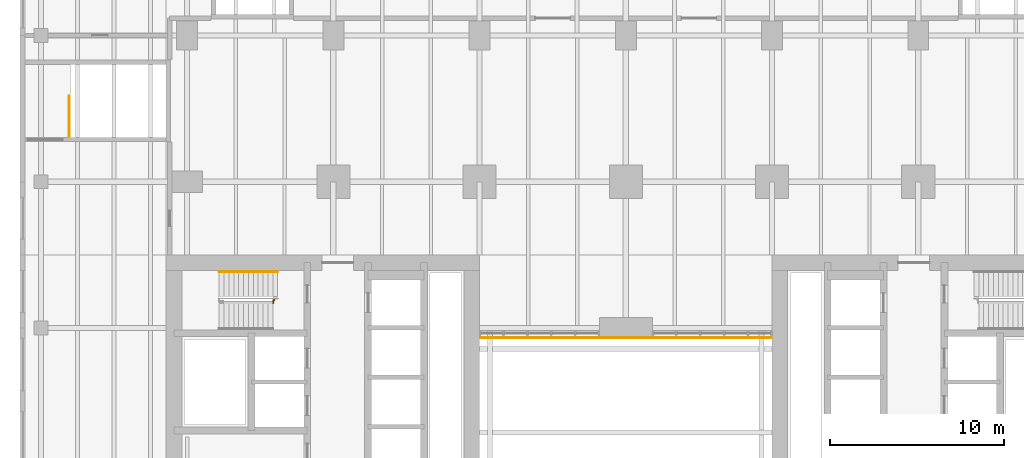
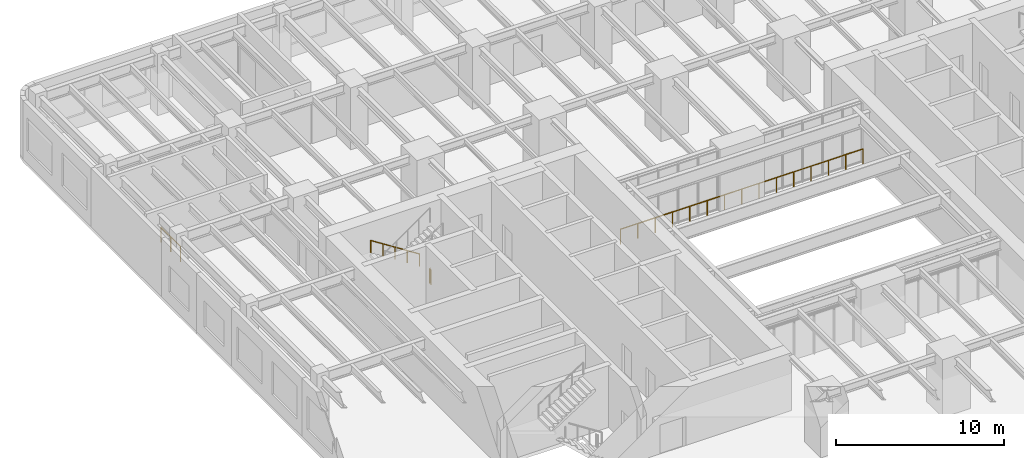
# One storey, part 20 of 22: 4 railings.
"""IFC4 building model written with IfcOpenShell, lengths in metres."""

from ifc_helpers import new_model, si_unit, direction, frame, origin, origin_2d, place, context, subcontext, project, spatial, circle, extrude, material, type_object, element, save


model = new_model("IFC4")

# Units and contexts
model_context = context("Model", 3, precision=1e-05, world=origin(), true_north=direction((0.0, 1.0)))
body_context = subcontext(model_context, "Body", "Model", "MODEL_VIEW")
ifc_project = project(units=[si_unit("LENGTHUNIT", "METRE"), si_unit("AREAUNIT", "SQUARE_METRE"), si_unit("VOLUMEUNIT", "CUBIC_METRE"), si_unit("PLANEANGLEUNIT", "RADIAN"), si_unit("MASSUNIT", "GRAM", prefix="KILO")], contexts=[model_context])

# Site, building, storey
site_placement = place(None, origin())
site = spatial("IfcSite", under=ifc_project, at=site_placement, CompositionType="ELEMENT")
building_placement = place(site_placement, origin())
building = spatial("IfcBuilding", under=site, at=building_placement, Name="Claustro Exchange Tower", CompositionType="ELEMENT")
storey_placement = place(building_placement, frame((0.0, 0.0, 14.39990234375)))
storey = spatial("IfcBuildingStorey", under=building, at=storey_placement, Name="L03", CompositionType="ELEMENT", Elevation=14.39990234375)

# Railings
ifc_material_1 = material(Name="Laminated glass, stainless steel rail", Category="steel")
railing_type_1 = type_object("IfcRailingType", Name="GR1 1100 glass balustrade guard", PredefinedType="BALUSTRADE", material=ifc_material_1)
railing_1_placement = place(storey_placement, frame((16.85009765625, 33.050048828125, 0.0)))
element("IfcRailing", 1, at=railing_1_placement, inside=storey, type_object=railing_type_1, Name="Atrium guard GR1 L03", PredefinedType="BALUSTRADE", context=body_context, shape_type="SweptSolid", body=[
    extrude(circle(Radius=0.02392578125, at=origin_2d()), frame((0.0, 0.0, 1.076171875), z_axis=(1.0, 0.0, 0.0), x_axis=(0.0, 1.0, 0.0)), (0.0, 0.0, 1.0), 16.699951171875),
    extrude(circle(Radius=0.02099609375, at=origin_2d()), origin(), (0.0, 0.0, 1.0), 1.052001953125),
    extrude(circle(Radius=0.02099609375, at=origin_2d()), frame((1.19287109375, 0.0, 0.0)), (0.0, 0.0, 1.0), 1.052001953125),
    extrude(circle(Radius=0.02099609375, at=origin_2d()), frame((2.3857421875, 0.0, 0.0)), (0.0, 0.0, 1.0), 1.052001953125),
    extrude(circle(Radius=0.02099609375, at=origin_2d()), frame((3.57861328125, 0.0, 0.0)), (0.0, 0.0, 1.0), 1.052001953125),
    extrude(circle(Radius=0.02099609375, at=origin_2d()), frame((4.771484375, 0.0, 0.0)), (0.0, 0.0, 1.0), 1.052001953125),
    extrude(circle(Radius=0.02099609375, at=origin_2d()), frame((5.96435546875, 0.0, 0.0)), (0.0, 0.0, 1.0), 1.052001953125),
    extrude(circle(Radius=0.02099609375, at=origin_2d()), frame((7.1572265625, 0.0, 0.0)), (0.0, 0.0, 1.0), 1.052001953125),
    extrude(circle(Radius=0.02099609375, at=origin_2d()), frame((8.35009765625, 0.0, 0.0)), (0.0, 0.0, 1.0), 1.052001953125),
    extrude(circle(Radius=0.02099609375, at=origin_2d()), frame((9.542724609375, 0.0, 0.0)), (0.0, 0.0, 1.0), 1.052001953125),
    extrude(circle(Radius=0.02099609375, at=origin_2d()), frame((10.735595703125, 0.0, 0.0)), (0.0, 0.0, 1.0), 1.052001953125),
    extrude(circle(Radius=0.02099609375, at=origin_2d()), frame((11.928466796875, 0.0, 0.0)), (0.0, 0.0, 1.0), 1.052001953125),
    extrude(circle(Radius=0.02099609375, at=origin_2d()), frame((13.121337890625, 0.0, 0.0)), (0.0, 0.0, 1.0), 1.052001953125),
    extrude(circle(Radius=0.02099609375, at=origin_2d()), frame((14.314208984375, 0.0, 0.0)), (0.0, 0.0, 1.0), 1.052001953125),
    extrude(circle(Radius=0.02099609375, at=origin_2d()), frame((15.507080078125, 0.0, 0.0)), (0.0, 0.0, 1.0), 1.052001953125),
    extrude(circle(Radius=0.02099609375, at=origin_2d()), frame((16.699951171875, 0.0, 0.0)), (0.0, 0.0, 1.0), 1.052001953125),
])
ifc_material_2 = material(Name="Steel balustrade, painted", Category="steel")
railing_type_2 = type_object("IfcRailingType", Name="GR2 1100 steel stair guard", PredefinedType="GUARDRAIL", material=ifc_material_2)
railing_2_placement = place(storey_placement, frame((5.0, 35.22998046875, 0.0)))
element("IfcRailing", 2, at=railing_2_placement, inside=storey, type_object=railing_type_2, Name="Stair guard GR2 STWB L03", PredefinedType="GUARDRAIL", context=body_context, shape_type="SweptSolid", body=[
    extrude(circle(Radius=0.02392578125, at=origin_2d()), frame((0.0, 0.0, 1.076171875), z_axis=(0.0, -1.0, 0.0), x_axis=(1.0, 0.0, 0.0)), (0.0, 0.0, 1.0), 0.030029296875),
    extrude(circle(Radius=0.02392578125, at=origin_2d()), frame((0.0, -0.030029296875, 1.076171875), z_axis=(-1.0, 0.0, 0.0), x_axis=(0.0, -1.0, 0.0)), (0.0, 0.0, 1.0), 0.054931640625),
    extrude(circle(Radius=0.02392578125, at=origin_2d()), frame((-0.054931640625, -0.030029296875, 1.076171875), z_axis=(0.0, -1.0, 0.0), x_axis=(1.0, 0.0, 0.0)), (0.0, 0.0, 1.0), 0.179931640625),
    extrude(circle(Radius=0.02099609375, at=origin_2d()), origin(), (0.0, 0.0, 1.0), 1.052001953125),
    extrude(circle(Radius=0.02099609375, at=origin_2d()), frame((0.0, -0.030029296875, 0.0)), (0.0, 0.0, 1.0), 1.052001953125),
    extrude(circle(Radius=0.02099609375, at=origin_2d()), frame((-0.054931640625, -0.030029296875, 0.0)), (0.0, 0.0, 1.0), 1.052001953125),
    extrude(circle(Radius=0.02099609375, at=origin_2d()), frame((-0.054931640625, -0.2099609375, 0.0)), (0.0, 0.0, 1.0), 1.052001953125),
])
railing_3_placement = place(storey_placement, frame((-6.780029296875, 44.610107421875, 0.0)))
element("IfcRailing", 3, at=railing_3_placement, inside=storey, type_object=railing_type_2, Name="Stair guard GR2 STP5 L03", PredefinedType="GUARDRAIL", context=body_context, shape_type="SweptSolid", body=[
    extrude(circle(Radius=0.02392578125, at=origin_2d()), frame((0.0, 0.0, 1.076171875), z_axis=(0.0, 1.0, 0.0), x_axis=(-1.0, 0.0, 0.0)), (0.0, 0.0, 1.0), 2.31982421875),
    extrude(circle(Radius=0.02099609375, at=origin_2d()), origin(), (0.0, 0.0, 1.0), 1.052001953125),
    extrude(circle(Radius=0.02099609375, at=origin_2d()), frame((0.0, 1.159912109375, 0.0)), (0.0, 0.0, 1.0), 1.052001953125),
    extrude(circle(Radius=0.02099609375, at=origin_2d()), frame((0.0, 2.31982421875, 0.0)), (0.0, 0.0, 1.0), 1.052001953125),
])
ifc_material_3 = material(Name="Stainless steel tube", Category="steel")
railing_type_3 = type_object("IfcRailingType", Name="HR1 900 stair handrail", PredefinedType="HANDRAIL", material=ifc_material_3)
railing_4_placement = place(storey_placement, frame((5.199951171875, 36.840087890625, 0.18017578125)))
element("IfcRailing", 4, at=railing_4_placement, inside=storey, type_object=railing_type_3, Name="Handrail HR1 stair STWB L03", PredefinedType="HANDRAIL", context=body_context, shape_type="SweptSolid", body=[
    extrude(circle(Radius=0.02392578125, at=origin_2d()), frame((0.0, 0.0, 0.8759765625), z_axis=(-0.841178475377, 0.0, 0.540757591313), x_axis=(0.0, -1.0, 0.0)), (0.0, 0.0, 1.0), 3.994140625),
    extrude(circle(Radius=0.02099609375, at=origin_2d()), origin(), (0.0, 0.0, 1.0), 0.851806640625),
    extrude(circle(Radius=0.02099609375, at=origin_2d()), frame((-0.83984375, 0.0, 0.5400390625)), (0.0, 0.0, 1.0), 0.851806640625),
    extrude(circle(Radius=0.02099609375, at=origin_2d()), frame((-1.679931640625, 0.0, 1.080078125)), (0.0, 0.0, 1.0), 0.851806640625),
    extrude(circle(Radius=0.02099609375, at=origin_2d()), frame((-2.52001953125, 0.0, 1.619873046875)), (0.0, 0.0, 1.0), 0.851806640625),
    extrude(circle(Radius=0.02099609375, at=origin_2d()), frame((-3.35986328125, 0.0, 2.159912109375)), (0.0, 0.0, 1.0), 0.851806640625),
])

save(model, "model.ifc")
